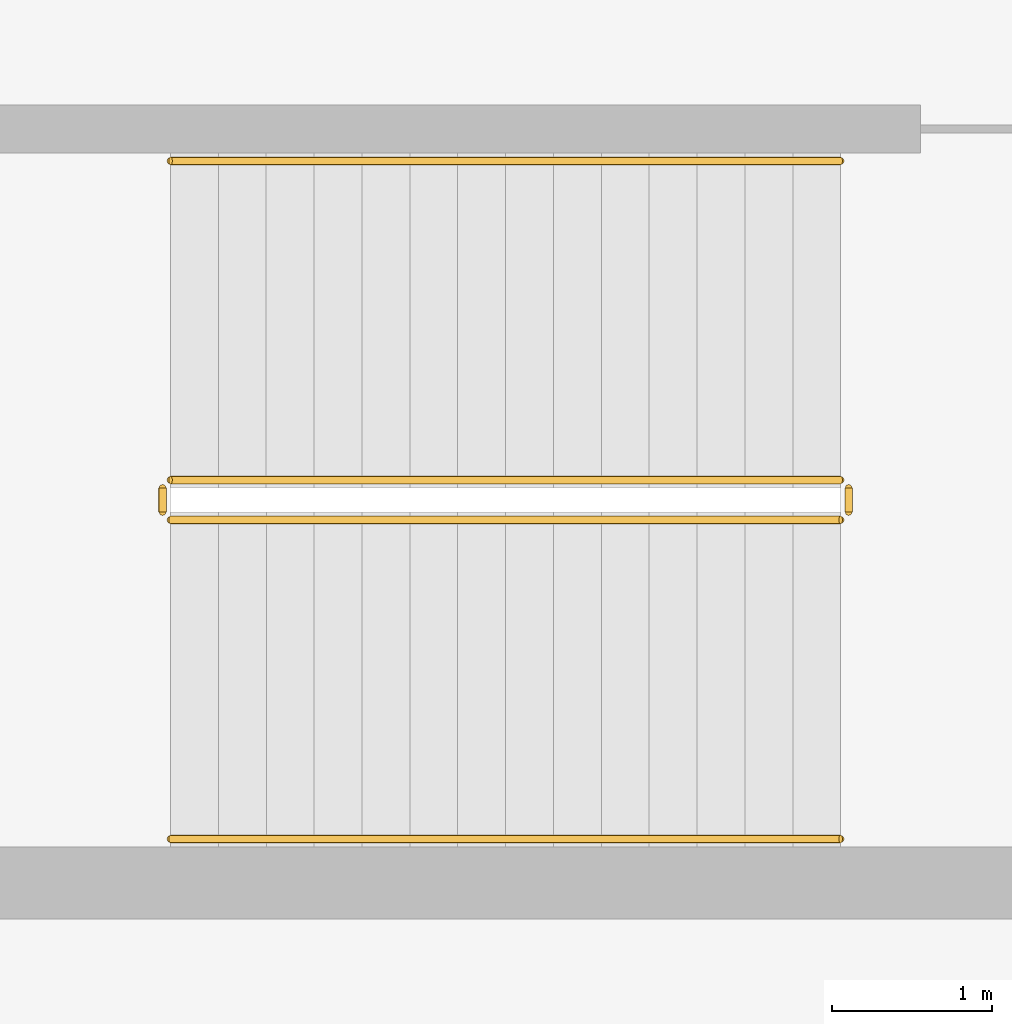
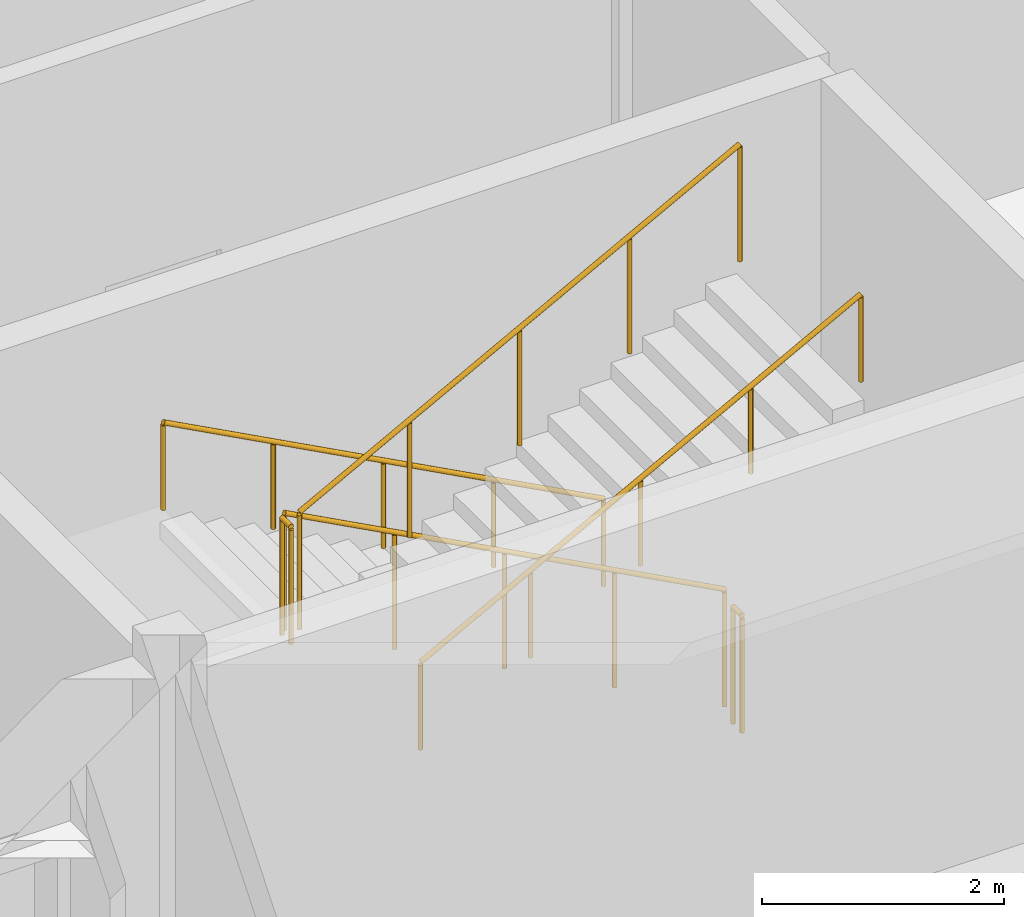
# One storey, part 173 of 182: 6 railings.
"""IFC4 building model written with IfcOpenShell, lengths in metres."""

from ifc_helpers import new_model, si_unit, direction, frame, origin, origin_2d, place, context, subcontext, project, spatial, circle, extrude, material, type_object, element, save


model = new_model("IFC4")

# Units and contexts
model_context = context("Model", 3, precision=1e-05, world=origin(), true_north=direction((0.0, 1.0)))
body_context = subcontext(model_context, "Body", "Model", "MODEL_VIEW")
ifc_project = project(units=[si_unit("LENGTHUNIT", "METRE"), si_unit("AREAUNIT", "SQUARE_METRE"), si_unit("VOLUMEUNIT", "CUBIC_METRE"), si_unit("PLANEANGLEUNIT", "RADIAN"), si_unit("MASSUNIT", "GRAM", prefix="KILO")], contexts=[model_context])

# Site, building, storey
site_placement = place(None, origin())
site = spatial("IfcSite", under=ifc_project, at=site_placement, CompositionType="ELEMENT")
building_placement = place(site_placement, origin())
building = spatial("IfcBuilding", under=site, at=building_placement, Name="Okhra Congress Centre", CompositionType="ELEMENT")
storey_placement = place(building_placement, frame((0.0, 0.0, 7.199951171875)))
storey = spatial("IfcBuildingStorey", under=building, at=storey_placement, Name="L01", CompositionType="ELEMENT", Elevation=7.199951171875)

# Railings
ifc_material_1 = material(Name="Painted steel tube handrail on wall brackets", Category="steel")
railing_type_1 = type_object("IfcRailingType", Name="Steel handrail 900", PredefinedType="HANDRAIL", material=ifc_material_1)
railing_1_placement = place(storey_placement, frame((70.75, 100.52490234375, 0.16015625)))
element("IfcRailing", 1, at=railing_1_placement, inside=storey, type_object=railing_type_1, Name="L01 B stair handrail 1", PredefinedType="HANDRAIL", context=body_context, shape_type="SweptSolid", body=[
    extrude(circle(Radius=0.02392578125, at=origin_2d()), frame((0.0, 0.0, 0.8759765625), z_axis=(-0.882351521365, 0.0, 0.470590897432), x_axis=(0.0, -1.0, 0.0)), (0.0, 0.0, 1.0), 4.760009765625),
    extrude(circle(Radius=0.02099609375, at=origin_2d()), origin(), (0.0, 0.0, 1.0), 0.851806640625),
    extrude(circle(Radius=0.02099609375, at=origin_2d()), frame((-1.050048828125, 0.0, 0.56005859375)), (0.0, 0.0, 1.0), 0.851806640625),
    extrude(circle(Radius=0.02099609375, at=origin_2d()), frame((-2.10009765625, 0.0, 1.1201171875)), (0.0, 0.0, 1.0), 0.851806640625),
    extrude(circle(Radius=0.02099609375, at=origin_2d()), frame((-3.14990234375, 0.0, 1.679931640625)), (0.0, 0.0, 1.0), 0.851806640625),
    extrude(circle(Radius=0.02099609375, at=origin_2d()), frame((-4.199951171875, 0.0, 2.239990234375)), (0.0, 0.0, 1.0), 0.851806640625),
])
railing_2_placement = place(storey_placement, frame((66.550048828125, 96.27490234375, 2.56005859375)))
element("IfcRailing", 2, at=railing_2_placement, inside=storey, type_object=railing_type_1, Name="L01 B stair handrail 2", PredefinedType="HANDRAIL", context=body_context, shape_type="SweptSolid", body=[
    extrude(circle(Radius=0.02392578125, at=origin_2d()), frame((0.0, 0.0, 0.8759765625), z_axis=(0.882351521365, 0.0, 0.470590897432), x_axis=(0.0, 1.0, 0.0)), (0.0, 0.0, 1.0), 4.760009765625),
    extrude(circle(Radius=0.02099609375, at=origin_2d()), origin(), (0.0, 0.0, 1.0), 0.851806640625),
    extrude(circle(Radius=0.02099609375, at=origin_2d()), frame((1.050048828125, 0.0, 0.56005859375)), (0.0, 0.0, 1.0), 0.851806640625),
    extrude(circle(Radius=0.02099609375, at=origin_2d()), frame((2.10009765625, 0.0, 1.1201171875)), (0.0, 0.0, 1.0), 0.851806640625),
    extrude(circle(Radius=0.02099609375, at=origin_2d()), frame((3.14990234375, 0.0, 1.679931640625)), (0.0, 0.0, 1.0), 0.851806640625),
    extrude(circle(Radius=0.02099609375, at=origin_2d()), frame((4.199951171875, 0.0, 2.239990234375)), (0.0, 0.0, 1.0), 0.851806640625),
])
ifc_material_2 = material(Name="Painted steel tube guard with vertical steel balusters", Category="steel")
railing_type_2 = type_object("IfcRailingType", Name="Steel stair guard 1200", PredefinedType="GUARDRAIL", material=ifc_material_2)
railing_3_placement = place(storey_placement, frame((70.75, 98.52490234375, 0.16015625)))
element("IfcRailing", 3, at=railing_3_placement, inside=storey, type_object=railing_type_2, Name="L01 B stair guard 1", PredefinedType="GUARDRAIL", context=body_context, shape_type="SweptSolid", body=[
    extrude(circle(Radius=0.02392578125, at=origin_2d()), frame((0.0, 0.0, 1.17578125), z_axis=(-0.882351521365, 0.0, 0.470590897432), x_axis=(0.0, -1.0, 0.0)), (0.0, 0.0, 1.0), 4.760009765625),
    extrude(circle(Radius=0.02099609375, at=origin_2d()), origin(), (0.0, 0.0, 1.0), 1.15185546875),
    extrude(circle(Radius=0.02099609375, at=origin_2d()), frame((-1.050048828125, 0.0, 0.56005859375)), (0.0, 0.0, 1.0), 1.15185546875),
    extrude(circle(Radius=0.02099609375, at=origin_2d()), frame((-2.10009765625, 0.0, 1.1201171875)), (0.0, 0.0, 1.0), 1.15185546875),
    extrude(circle(Radius=0.02099609375, at=origin_2d()), frame((-3.14990234375, 0.0, 1.679931640625)), (0.0, 0.0, 1.0), 1.15185546875),
    extrude(circle(Radius=0.02099609375, at=origin_2d()), frame((-4.199951171875, 0.0, 2.239990234375)), (0.0, 0.0, 1.0), 1.15185546875),
])
railing_4_placement = place(storey_placement, frame((66.5, 98.47509765625, 2.400146484375)))
element("IfcRailing", 4, at=railing_4_placement, inside=storey, type_object=railing_type_2, Name="L01 B stair guard 2", PredefinedType="GUARDRAIL", context=body_context, shape_type="SweptSolid", body=[
    extrude(circle(Radius=0.02392578125, at=origin_2d()), frame((0.0, 0.0, 1.17578125), z_axis=(0.0, -1.0, 0.0), x_axis=(1.0, 0.0, 0.0)), (0.0, 0.0, 1.0), 0.150146484375),
    extrude(circle(Radius=0.02099609375, at=origin_2d()), origin(), (0.0, 0.0, 1.0), 1.15185546875),
    extrude(circle(Radius=0.02099609375, at=origin_2d()), frame((0.0, -0.150146484375, 0.0)), (0.0, 0.0, 1.0), 1.15185546875),
])
railing_5_placement = place(storey_placement, frame((66.550048828125, 98.27490234375, 2.56005859375)))
element("IfcRailing", 5, at=railing_5_placement, inside=storey, type_object=railing_type_2, Name="L01 B stair guard 3", PredefinedType="GUARDRAIL", context=body_context, shape_type="SweptSolid", body=[
    extrude(circle(Radius=0.02392578125, at=origin_2d()), frame((0.0, 0.0, 1.17578125), z_axis=(0.882351521365, 0.0, 0.470590897432), x_axis=(0.0, 1.0, 0.0)), (0.0, 0.0, 1.0), 4.760009765625),
    extrude(circle(Radius=0.02099609375, at=origin_2d()), origin(), (0.0, 0.0, 1.0), 1.15185546875),
    extrude(circle(Radius=0.02099609375, at=origin_2d()), frame((1.050048828125, 0.0, 0.56005859375)), (0.0, 0.0, 1.0), 1.15185546875),
    extrude(circle(Radius=0.02099609375, at=origin_2d()), frame((2.10009765625, 0.0, 1.1201171875)), (0.0, 0.0, 1.0), 1.15185546875),
    extrude(circle(Radius=0.02099609375, at=origin_2d()), frame((3.14990234375, 0.0, 1.679931640625)), (0.0, 0.0, 1.0), 1.15185546875),
    extrude(circle(Radius=0.02099609375, at=origin_2d()), frame((4.199951171875, 0.0, 2.239990234375)), (0.0, 0.0, 1.0), 1.15185546875),
])
railing_6_placement = place(storey_placement, frame((70.800048828125, 98.47509765625, 0.0)))
element("IfcRailing", 6, at=railing_6_placement, inside=storey, type_object=railing_type_2, Name="L01 B stair guard 4", PredefinedType="GUARDRAIL", context=body_context, shape_type="SweptSolid", body=[
    extrude(circle(Radius=0.02392578125, at=origin_2d()), frame((0.0, 0.0, 1.17578125), z_axis=(0.0, -1.0, 0.0), x_axis=(1.0, 0.0, 0.0)), (0.0, 0.0, 1.0), 0.150146484375),
    extrude(circle(Radius=0.02099609375, at=origin_2d()), origin(), (0.0, 0.0, 1.0), 1.15185546875),
    extrude(circle(Radius=0.02099609375, at=origin_2d()), frame((0.0, -0.150146484375, 0.0)), (0.0, 0.0, 1.0), 1.15185546875),
])

save(model, "model.ifc")
